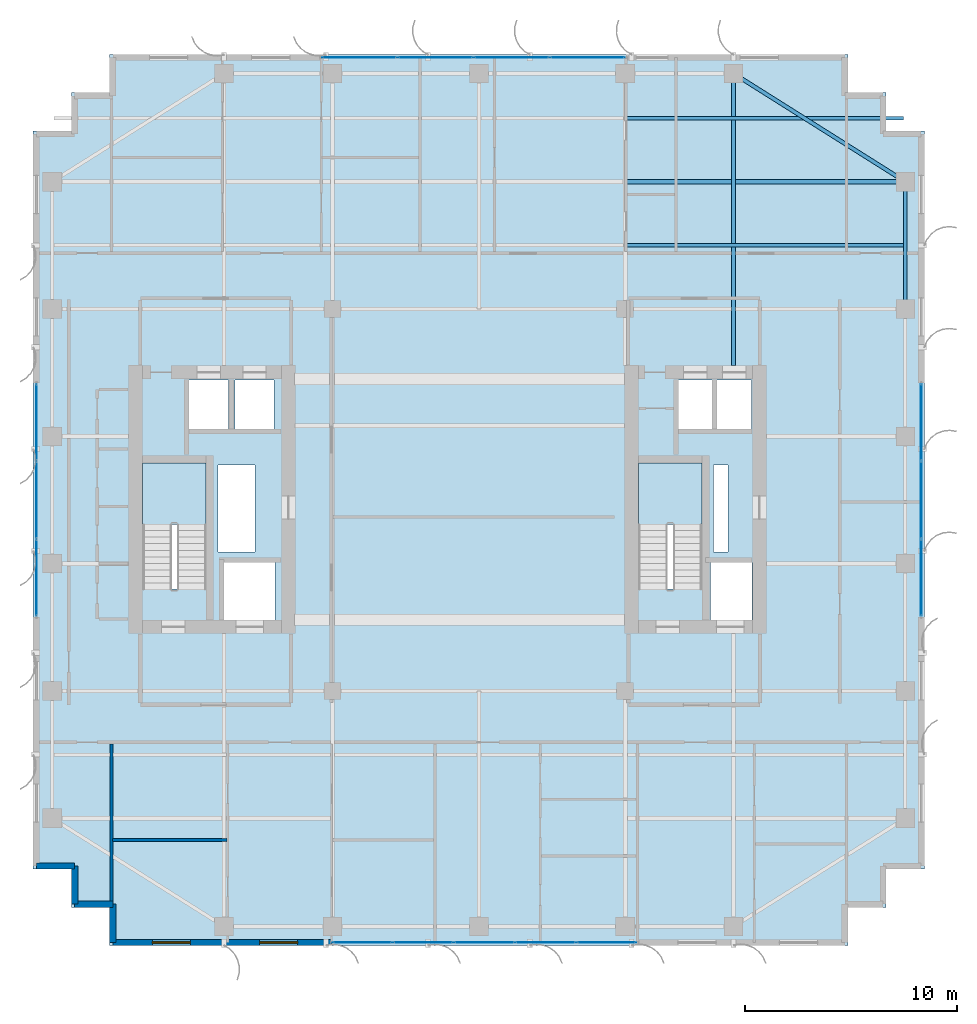
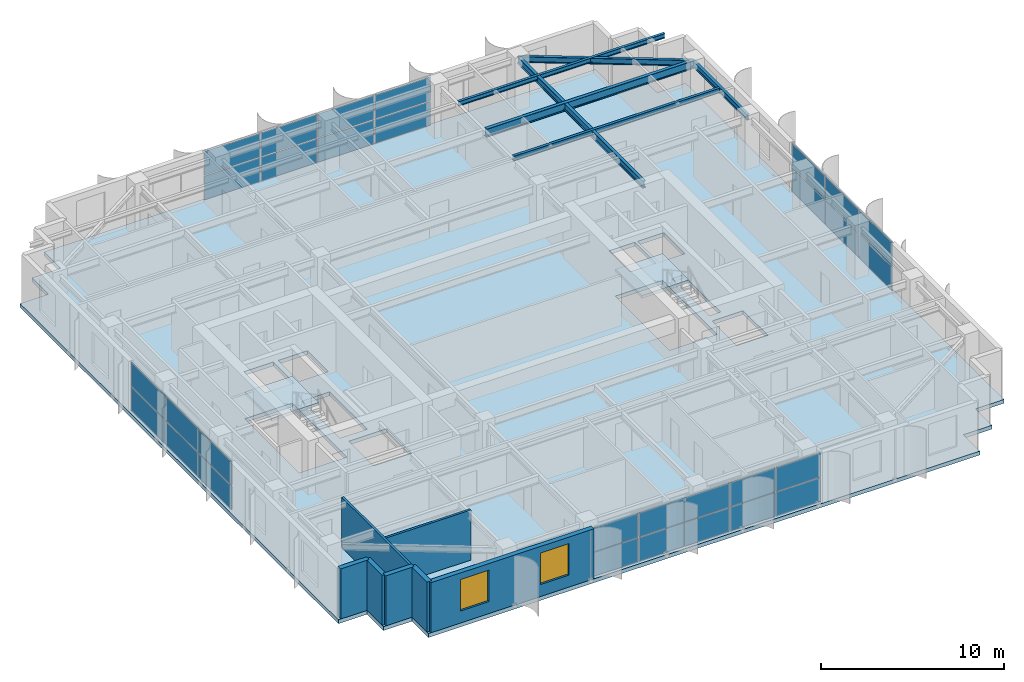
# One storey, part 18 of 25: 30 plates, 7 walls, 6 beams, 3 slabs, 2 windows, 2 openings, 6 elements without a shape of their own.
"""IFC4 building model written with IfcOpenShell, lengths in metres."""

from ifc_helpers import new_model, si_unit, direction, frame, frame_2d, origin, origin_2d, place, context, subcontext, project, spatial, polyline, rectangle, i_section, outline, extrude, source, transform, mapped, material, layer, layer_set, material_profile, profile_set, type_object, element, fill, aggregate, save


model = new_model("IFC4")

# Units and contexts
model_context = context("Model", 3, precision=1e-05, world=origin(), true_north=direction((0.0, 1.0)))
body_context = subcontext(model_context, "Body", "Model", "MODEL_VIEW")
ifc_project = project(units=[si_unit("LENGTHUNIT", "METRE"), si_unit("AREAUNIT", "SQUARE_METRE"), si_unit("VOLUMEUNIT", "CUBIC_METRE"), si_unit("PLANEANGLEUNIT", "RADIAN"), si_unit("MASSUNIT", "GRAM", prefix="KILO")], contexts=[model_context])

# Site, building, storey
site_placement = place(None, origin())
site = spatial("IfcSite", under=ifc_project, at=site_placement, CompositionType="ELEMENT")
building_placement = place(site_placement, origin())
building = spatial("IfcBuilding", under=site, at=building_placement, Name="Khoralis Quay Care Tower", CompositionType="ELEMENT")
storey_placement = place(building_placement, frame((0.0, 0.0, 166.5)))
storey = spatial("IfcBuildingStorey", under=building, at=storey_placement, Name="L43", CompositionType="ELEMENT", Elevation=166.5)

# Beams
ifc_material_1 = material(Name="Steel S355", Category="steel")
ifc_material_profile_1 = material_profile(ifc_material_1, i_section(OverallWidth=0.179931640625, OverallDepth=0.39990234375, WebThickness=0.008544921875, FlangeThickness=0.013427734375, FilletRadius=0.02099609375, at=origin_2d()), Name="Steel S355")
ifc_profile_set_1 = profile_set([ifc_material_profile_1], Name="Steel S355")
beam_type_1 = type_object("IfcBeamType", Name="BM-IPE400", PredefinedType="SPANDREL", material=ifc_profile_set_1)
shared_shape_1 = source(origin(), body_context, "Body", "SweptSolid", [
    extrude(i_section(OverallWidth=0.179931640625, OverallDepth=0.39990234375, WebThickness=0.008544921875, FlangeThickness=0.013427734375, FilletRadius=0.02099609375, at=origin_2d()), origin(), (0.0, 0.0, 1.0), 6.0),
])
beam_1_placement = place(storey_placement, frame((44.10009765625, 30.0, 3.139892578125), z_axis=(0.0, 1.0, 0.0), x_axis=(-1.0, 0.0, 0.0)))
element("IfcBeam", 1, at=beam_1_placement, inside=storey, type_object=beam_type_1, Name="BM-TSP-L43-18", PredefinedType="SPANDREL", context=body_context, shape_type="MappedRepresentation", body=[
    mapped(shared_shape_1, transform((0.0, 0.0, 0.0), scale=1.0)),
])
shared_shape_2 = source(origin(), body_context, "Body", "SweptSolid", [
    extrude(i_section(OverallWidth=0.179931640625, OverallDepth=0.39990234375, WebThickness=0.008544921875, FlangeThickness=0.013427734375, FilletRadius=0.02099609375, at=origin_2d()), origin(), (0.0, 0.0, 1.0), 9.572021484375),
])
beam_2_placement = place(storey_placement, frame((36.0, 41.10009765625, 3.139892578125), z_axis=(0.846231136359, -0.532815975602, 0.0), x_axis=(0.532815975602, 0.846231136359, 0.0)))
element("IfcBeam", 2, at=beam_2_placement, inside=storey, type_object=beam_type_1, Name="BM-TCR-L43-22", PredefinedType="SPANDREL", context=body_context, shape_type="MappedRepresentation", body=[
    mapped(shared_shape_2, transform((0.0, 0.0, 0.0), scale=1.0)),
])
ifc_material_profile_2 = material_profile(ifc_material_1, i_section(OverallWidth=0.208984375, OverallDepth=0.532958984375, WebThickness=0.01025390625, FlangeThickness=0.015625, FilletRadius=0.01611328125, at=origin_2d()), Name="Steel S355")
ifc_profile_set_2 = profile_set([ifc_material_profile_2], Name="Steel S355")
beam_type_2 = type_object("IfcBeamType", Name="BM-W530X92", PredefinedType="BEAM", material=ifc_profile_set_2)
shared_shape_3 = source(origin(), body_context, "Body", "SweptSolid", [
    extrude(i_section(OverallWidth=0.208984375, OverallDepth=0.532958984375, WebThickness=0.01025390625, FlangeThickness=0.015625, FilletRadius=0.01611328125, at=origin_2d()), origin(), (0.0, 0.0, 1.0), 13.1162109375),
])
beam_3_placement = place(storey_placement, frame((30.98388671875, 36.0, 3.073486328125), z_axis=(1.0, 0.0, 0.0), x_axis=(0.0, 1.0, 0.0)))
element("IfcBeam", 3, at=beam_3_placement, inside=storey, type_object=beam_type_2, Name="BM-TGXE-L43-360", PredefinedType="BEAM", context=body_context, shape_type="MappedRepresentation", body=[
    mapped(shared_shape_3, transform((0.0, 0.0, 0.0), scale=1.0)),
])
ifc_material_profile_3 = material_profile(ifc_material_1, i_section(OverallWidth=0.19189453125, OverallDepth=0.462890625, WebThickness=0.010498046875, FlangeThickness=0.017578125, FilletRadius=0.014892578125, at=origin_2d()), Name="Steel S355")
ifc_profile_set_3 = profile_set([ifc_material_profile_3], Name="Steel S355")
beam_type_3 = type_object("IfcBeamType", Name="BM-W460X89", PredefinedType="BEAM", material=ifc_profile_set_3)
shared_shape_4 = source(origin(), body_context, "Body", "SweptSolid", [
    extrude(i_section(OverallWidth=0.19189453125, OverallDepth=0.462890625, WebThickness=0.010498046875, FlangeThickness=0.017578125, FilletRadius=0.014892578125, at=origin_2d()), origin(), (0.0, 0.0, 1.0), 13.752197265625),
])
beam_4_placement = place(storey_placement, frame((36.0, 27.347900390625, 3.1083984375), z_axis=(0.0, 1.0, 0.0), x_axis=(-1.0, 0.0, 0.0)))
element("IfcBeam", 4, at=beam_4_placement, inside=storey, type_object=beam_type_3, Name="BM-TGYN-L43-360", PredefinedType="BEAM", context=body_context, shape_type="MappedRepresentation", body=[
    mapped(shared_shape_4, transform((0.0, 0.0, 0.0), scale=1.0)),
])
ifc_material_profile_4 = material_profile(ifc_material_1, i_section(OverallWidth=0.1650390625, OverallDepth=0.31005859375, WebThickness=0.005859375, FlangeThickness=0.009765625, FilletRadius=0.011962890625, at=origin_2d()), Name="Steel S355")
ifc_profile_set_4 = profile_set([ifc_material_profile_4], Name="Steel S355")
beam_type_4 = type_object("IfcBeamType", Name="BM-W310X39", PredefinedType="JOIST", material=ifc_profile_set_4)
shared_shape_5 = source(origin(), body_context, "Body", "SweptSolid", [
    extrude(i_section(OverallWidth=0.1650390625, OverallDepth=0.31005859375, WebThickness=0.005859375, FlangeThickness=0.009765625, FilletRadius=0.011962890625, at=origin_2d()), origin(), (0.0, 0.0, 1.0), 13.0400390625),
])
for number, where, z_axis, x_axis, name in (
    (5, (30.98388671875, 33.0, 3.18505859375), (1.0, 0.0, 0.0), (0.0, 1.0, 0.0), "BM-TJS-L43-27"),
    (6, (30.98388671875, 39.0, 3.18505859375), (1.0, 0.0, 0.0), (0.0, 1.0, 0.0), "BM-TJS-L43-30"),
):
    element("IfcBeam", number, at=place(storey_placement, frame(where, z_axis=z_axis, x_axis=x_axis)), inside=storey, type_object=beam_type_4, Name=name, PredefinedType="JOIST", context=body_context, shape_type="MappedRepresentation", body=[
        mapped(shared_shape_5, transform((0.0, 0.0, 0.0), scale=1.0)),
    ])

# Stair, slab
ifc_material_2 = material(Name="Precast concrete C45/55", Category="concrete")
stair_type = type_object("IfcStairType", Name="ST-TWR-DOGLEG-1400", PredefinedType="HALF_TURN_STAIR", material=ifc_material_2)
stair_1_placement = place(storey_placement, origin())
stair_1 = element("IfcStair", 7, at=stair_1_placement, inside=storey, type_object=stair_type, Name="L43 West Core Exit Stair ST-T1", PredefinedType="HALF_TURN_STAIR")
ifc_layer_1 = layer(ifc_material_2, 0.199951171875)
ifc_layer_set_1 = layer_set([ifc_layer_1], Name="Precast concrete C45/55")
slab_type_1 = type_object("IfcSlabType", Name="SLB-LANDING-200", PredefinedType="LANDING", material=ifc_layer_set_1)
slab_1_placement = place(storey_placement, frame((0.0, 0.0, 1.60009765625)))
slab_1 = element("IfcSlab", 8, at=slab_1_placement, type_object=slab_type_1, Name="ST-T1 landing 1", PredefinedType="LANDING", context=body_context, shape_type="SweptSolid", body=[
    extrude(outline(polyline([(11.14990234375, 19.840087890625), (11.14990234375, 22.75), (8.14990234375, 22.75), (8.14990234375, 19.840087890625), (11.14990234375, 19.840087890625)])), origin(), (0.0, 0.0, 1.0), 0.199951171875),
])
aggregate(stair_1, [slab_1])

stair_2_placement = place(storey_placement, origin())
stair_2 = element("IfcStair", 9, at=stair_2_placement, inside=storey, type_object=stair_type, Name="L43 East Core Exit Stair ST-T2", PredefinedType="HALF_TURN_STAIR")
slab_2_placement = place(storey_placement, frame((0.0, 0.0, 1.60009765625)))
slab_2 = element("IfcSlab", 10, at=slab_2_placement, type_object=slab_type_1, Name="ST-T2 landing 1", PredefinedType="LANDING", context=body_context, shape_type="SweptSolid", body=[
    extrude(outline(polyline([(34.52001953125, 19.840087890625), (34.52001953125, 22.75), (31.52001953125, 22.75), (31.52001953125, 19.840087890625), (34.52001953125, 19.840087890625)])), origin(), (0.0, 0.0, 1.0), 0.199951171875),
])
aggregate(stair_2, [slab_2])

# Slab
ifc_material_3 = material(Name="Concrete C40/50", Category="concrete")
ifc_layer_2 = layer(ifc_material_3, 0.260009765625)
ifc_layer_set_2 = layer_set([ifc_layer_2], Name="Concrete C40/50")
slab_type_2 = type_object("IfcSlabType", Name="SLB-TWR-260", PredefinedType="FLOOR", material=ifc_layer_set_2)
slab_3_placement = place(storey_placement, frame((0.0, 0.0, -0.260009765625)))
element("IfcSlab", 11, at=slab_3_placement, inside=storey, type_object=slab_type_2, Name="Tower Floor Slab L43", PredefinedType="FLOOR", context=body_context, shape_type="SweptSolid", body=[
    extrude(outline(polyline([(6.60009765625, 0.0), (41.39990234375, 0.0), (41.39990234375, 1.800048828125), (43.199951171875, 1.800048828125), (43.199951171875, 3.60009765625), (45.0, 3.60009765625), (45.0, 38.39990234375), (43.199951171875, 38.39990234375), (43.199951171875, 40.199951171875), (41.39990234375, 40.199951171875), (41.39990234375, 42.0), (6.60009765625, 42.0), (6.60009765625, 40.199951171875), (4.800048828125, 40.199951171875), (4.800048828125, 38.39990234375), (3.0, 38.39990234375), (3.0, 3.60009765625), (4.800048828125, 3.60009765625), (4.800048828125, 1.800048828125), (6.60009765625, 1.800048828125), (6.60009765625, 0.0)]), holes=[polyline([(11.14990234375, 16.800048828125), (11.14990234375, 22.75), (8.14990234375, 22.75), (8.14990234375, 16.800048828125), (11.14990234375, 16.800048828125)]), polyline([(34.52001953125, 16.800048828125), (34.52001953125, 22.75), (31.52001953125, 22.75), (31.52001953125, 16.800048828125), (34.52001953125, 16.800048828125)]), polyline([(12.0, 15.35009765625), (14.39990234375, 15.35009765625), (14.39990234375, 18.050048828125), (12.0, 18.050048828125), (12.0, 15.35009765625)]), polyline([(34.919921875, 15.35009765625), (36.8798828125, 15.35009765625), (36.8798828125, 18.050048828125), (34.919921875, 18.050048828125), (34.919921875, 15.35009765625)]), polyline([(10.35009765625, 24.35009765625), (12.199951171875, 24.35009765625), (12.199951171875, 26.64990234375), (10.35009765625, 26.64990234375), (10.35009765625, 24.35009765625)]), polyline([(33.3798828125, 24.35009765625), (35.030029296875, 24.35009765625), (35.030029296875, 26.64990234375), (33.3798828125, 26.64990234375), (33.3798828125, 24.35009765625)]), polyline([(12.5, 24.35009765625), (14.35009765625, 24.35009765625), (14.35009765625, 26.64990234375), (12.5, 26.64990234375), (12.5, 24.35009765625)]), polyline([(35.199951171875, 24.35009765625), (36.85009765625, 24.35009765625), (36.85009765625, 26.64990234375), (35.199951171875, 26.64990234375), (35.199951171875, 24.35009765625)]), polyline([(11.719970703125, 18.550048828125), (13.449951171875, 18.550048828125), (13.449951171875, 22.64990234375), (11.719970703125, 22.64990234375), (11.719970703125, 18.550048828125)]), polyline([(35.050048828125, 18.550048828125), (35.75, 18.550048828125), (35.75, 22.64990234375), (35.050048828125, 22.64990234375), (35.050048828125, 18.550048828125)])]), origin(), (0.0, 0.0, 1.0), 0.260009765625),
])

# Curtain wall, plates
ifc_material_4 = material(Name="Pale anodised aluminium", Category="aluminium")
ifc_layer_3 = layer(ifc_material_4, 0.159912109375)
ifc_layer_set_3 = layer_set([ifc_layer_3], Name="Pale anodised aluminium")
curtain_wall_type = type_object("IfcCurtainWallType", Name="CW-SYS-Z3", PredefinedType="NOTDEFINED", material=ifc_layer_set_3)
curtain_wall_1_placement = place(storey_placement, origin())
curtain_wall_1 = element("IfcCurtainWall", 12, at=curtain_wall_1_placement, inside=storey, type_object=curtain_wall_type, Name="L43 Unitised Curtain Wall CW-L43-P1-E5", PredefinedType="NOTDEFINED")
ifc_material_5 = material(Name="Low-E solar-control double glazing", Category="glass")
ifc_layer_4 = layer(ifc_material_5, 0.031982421875)
ifc_layer_set_4 = layer_set([ifc_layer_4], Name="Low-E solar-control double glazing")
plate_type = type_object("IfcPlateType", Name="PNL-VIS-32", PredefinedType="CURTAIN_PANEL", material=ifc_layer_set_4)
shared_shape_6 = source(origin(), body_context, "Body", "SweptSolid", [
    extrude(rectangle(XDim=3.590087890625, YDim=0.028076171875, at=origin_2d()), origin(), (0.0, 0.0, 1.0), 1.580078125),
])
plate_1_placement = place(storey_placement, frame((44.85009765625, 17.3349609375, 0.06005859375), z_axis=(0.0, 0.0, 1.0), x_axis=(0.0, 1.0, 0.0)))
plate_1 = element("IfcPlate", 13, at=plate_1_placement, type_object=plate_type, Name="CW3 panel 1.1", PredefinedType="CURTAIN_PANEL", context=body_context, shape_type="MappedRepresentation", body=[
    mapped(shared_shape_6, transform((0.0, 0.0, 0.0), scale=1.0)),
])
plate_2_placement = place(storey_placement, frame((44.85009765625, 17.3349609375, 1.699951171875), z_axis=(0.0, 0.0, 1.0), x_axis=(0.0, 1.0, 0.0)))
plate_2 = element("IfcPlate", 14, at=plate_2_placement, type_object=plate_type, Name="CW3 panel 1.2", PredefinedType="CURTAIN_PANEL", context=body_context, shape_type="MappedRepresentation", body=[
    mapped(shared_shape_6, transform((0.0, 0.0, 0.0), scale=1.0)),
])
plate_3_placement = place(storey_placement, frame((44.85009765625, 24.6650390625, 0.06005859375), z_axis=(0.0, 0.0, 1.0), x_axis=(0.0, 1.0, 0.0)))
plate_3 = element("IfcPlate", 15, at=plate_3_placement, type_object=plate_type, Name="CW3 panel 3.1", PredefinedType="CURTAIN_PANEL", context=body_context, shape_type="MappedRepresentation", body=[
    mapped(shared_shape_6, transform((0.0, 0.0, 0.0), scale=1.0)),
])
plate_4_placement = place(storey_placement, frame((44.85009765625, 24.6650390625, 1.699951171875), z_axis=(0.0, 0.0, 1.0), x_axis=(0.0, 1.0, 0.0)))
plate_4 = element("IfcPlate", 16, at=plate_4_placement, type_object=plate_type, Name="CW3 panel 3.2", PredefinedType="CURTAIN_PANEL", context=body_context, shape_type="MappedRepresentation", body=[
    mapped(shared_shape_6, transform((0.0, 0.0, 0.0), scale=1.0)),
])

curtain_wall_2_placement = place(storey_placement, origin())
curtain_wall_2 = element("IfcCurtainWall", 17, at=curtain_wall_2_placement, inside=storey, type_object=curtain_wall_type, Name="L43 Unitised Curtain Wall CW-L43-P1-E15", PredefinedType="NOTDEFINED")
plate_5_placement = place(storey_placement, frame((3.14990234375, 24.6650390625, 0.06005859375), z_axis=(0.0, 0.0, 1.0), x_axis=(0.0, -1.0, 0.0)))
plate_5 = element("IfcPlate", 18, at=plate_5_placement, type_object=plate_type, Name="CW3 panel 1.1", PredefinedType="CURTAIN_PANEL", context=body_context, shape_type="MappedRepresentation", body=[
    mapped(shared_shape_6, transform((0.0, 0.0, 0.0), scale=1.0)),
])
plate_6_placement = place(storey_placement, frame((3.14990234375, 24.6650390625, 1.699951171875), z_axis=(0.0, 0.0, 1.0), x_axis=(0.0, -1.0, 0.0)))
plate_6 = element("IfcPlate", 19, at=plate_6_placement, type_object=plate_type, Name="CW3 panel 1.2", PredefinedType="CURTAIN_PANEL", context=body_context, shape_type="MappedRepresentation", body=[
    mapped(shared_shape_6, transform((0.0, 0.0, 0.0), scale=1.0)),
])
plate_7_placement = place(storey_placement, frame((3.14990234375, 17.3349609375, 0.06005859375), z_axis=(0.0, 0.0, 1.0), x_axis=(0.0, -1.0, 0.0)))
plate_7 = element("IfcPlate", 20, at=plate_7_placement, type_object=plate_type, Name="CW3 panel 3.1", PredefinedType="CURTAIN_PANEL", context=body_context, shape_type="MappedRepresentation", body=[
    mapped(shared_shape_6, transform((0.0, 0.0, 0.0), scale=1.0)),
])
plate_8_placement = place(storey_placement, frame((3.14990234375, 17.3349609375, 1.699951171875), z_axis=(0.0, 0.0, 1.0), x_axis=(0.0, -1.0, 0.0)))
plate_8 = element("IfcPlate", 21, at=plate_8_placement, type_object=plate_type, Name="CW3 panel 3.2", PredefinedType="CURTAIN_PANEL", context=body_context, shape_type="MappedRepresentation", body=[
    mapped(shared_shape_6, transform((0.0, 0.0, 0.0), scale=1.0)),
])

# Plate
shared_shape_7 = source(origin(), body_context, "Body", "SweptSolid", [
    extrude(rectangle(XDim=3.6201171875, YDim=0.028076171875, at=origin_2d()), origin(), (0.0, 0.0, 1.0), 1.580078125),
])
plate_9_placement = place(storey_placement, frame((44.85009765625, 21.0, 0.06005859375), z_axis=(0.0, 0.0, 1.0), x_axis=(0.0, 1.0, 0.0)))
plate_9 = element("IfcPlate", 22, at=plate_9_placement, type_object=plate_type, Name="CW3 panel 2.1", PredefinedType="CURTAIN_PANEL", context=body_context, shape_type="MappedRepresentation", body=[
    mapped(shared_shape_7, transform((0.0, 0.0, 0.0), scale=1.0)),
])

plate_10_placement = place(storey_placement, frame((44.85009765625, 21.0, 1.699951171875), z_axis=(0.0, 0.0, 1.0), x_axis=(0.0, 1.0, 0.0)))
plate_10 = element("IfcPlate", 23, at=plate_10_placement, type_object=plate_type, Name="CW3 panel 2.2", PredefinedType="CURTAIN_PANEL", context=body_context, shape_type="MappedRepresentation", body=[
    mapped(shared_shape_7, transform((0.0, 0.0, 0.0), scale=1.0)),
])

aggregate(curtain_wall_1, [plate_1, plate_2, plate_9, plate_10, plate_3, plate_4])

plate_11_placement = place(storey_placement, frame((3.14990234375, 21.0, 0.06005859375), z_axis=(0.0, 0.0, 1.0), x_axis=(0.0, -1.0, 0.0)))
plate_11 = element("IfcPlate", 24, at=plate_11_placement, type_object=plate_type, Name="CW3 panel 2.1", PredefinedType="CURTAIN_PANEL", context=body_context, shape_type="MappedRepresentation", body=[
    mapped(shared_shape_7, transform((0.0, 0.0, 0.0), scale=1.0)),
])

plate_12_placement = place(storey_placement, frame((3.14990234375, 21.0, 1.699951171875), z_axis=(0.0, 0.0, 1.0), x_axis=(0.0, -1.0, 0.0)))
plate_12 = element("IfcPlate", 25, at=plate_12_placement, type_object=plate_type, Name="CW3 panel 2.2", PredefinedType="CURTAIN_PANEL", context=body_context, shape_type="MappedRepresentation", body=[
    mapped(shared_shape_7, transform((0.0, 0.0, 0.0), scale=1.0)),
])

aggregate(curtain_wall_2, [plate_5, plate_6, plate_11, plate_12, plate_7, plate_8])

# Curtain wall, plates
curtain_wall_3_placement = place(storey_placement, origin())
curtain_wall_3 = element("IfcCurtainWall", 26, at=curtain_wall_3_placement, inside=storey, type_object=curtain_wall_type, Name="L43 Unitised Curtain Wall CW-L43-P1-E0", PredefinedType="NOTDEFINED")
shared_shape_8 = source(origin(), body_context, "Body", "SweptSolid", [
    extrude(rectangle(XDim=2.79248046875, YDim=0.028076171875, at=origin_2d()), origin(), (0.0, 0.0, 1.0), 1.580078125),
])
plate_13_placement = place(storey_placement, frame((18.51318359375, 0.14990234375, 0.06005859375), z_axis=(0.0, 0.0, 1.0), x_axis=(1.0, 0.0, 0.0)))
plate_13 = element("IfcPlate", 27, at=plate_13_placement, type_object=plate_type, Name="CW3 panel 1.1", PredefinedType="CURTAIN_PANEL", context=body_context, shape_type="MappedRepresentation", body=[
    mapped(shared_shape_8, transform((0.0, 0.0, 0.0), scale=1.0)),
])
plate_14_placement = place(storey_placement, frame((18.51318359375, 0.14990234375, 1.699951171875), z_axis=(0.0, 0.0, 1.0), x_axis=(1.0, 0.0, 0.0)))
plate_14 = element("IfcPlate", 28, at=plate_14_placement, type_object=plate_type, Name="CW3 panel 1.2", PredefinedType="CURTAIN_PANEL", context=body_context, shape_type="MappedRepresentation", body=[
    mapped(shared_shape_8, transform((0.0, 0.0, 0.0), scale=1.0)),
])
plate_15_placement = place(storey_placement, frame((30.013671875, 0.14990234375, 0.06005859375), z_axis=(0.0, 0.0, 1.0), x_axis=(1.0, 0.0, 0.0)))
plate_15 = element("IfcPlate", 29, at=plate_15_placement, type_object=plate_type, Name="CW3 panel 5.1", PredefinedType="CURTAIN_PANEL", context=body_context, shape_type="MappedRepresentation", body=[
    mapped(shared_shape_8, transform((0.0, 0.0, 0.0), scale=1.0)),
])
plate_16_placement = place(storey_placement, frame((30.013671875, 0.14990234375, 1.699951171875), z_axis=(0.0, 0.0, 1.0), x_axis=(1.0, 0.0, 0.0)))
plate_16 = element("IfcPlate", 30, at=plate_16_placement, type_object=plate_type, Name="CW3 panel 5.2", PredefinedType="CURTAIN_PANEL", context=body_context, shape_type="MappedRepresentation", body=[
    mapped(shared_shape_8, transform((0.0, 0.0, 0.0), scale=1.0)),
])
shared_shape_9 = source(origin(), body_context, "Body", "SweptSolid", [
    extrude(rectangle(XDim=2.822509765625, YDim=0.028076171875, at=origin_2d()), origin(), (0.0, 0.0, 1.0), 1.580078125),
])
plate_17_placement = place(storey_placement, frame((21.380859375, 0.14990234375, 0.06005859375), z_axis=(0.0, 0.0, 1.0), x_axis=(1.0, 0.0, 0.0)))
plate_17 = element("IfcPlate", 31, at=plate_17_placement, type_object=plate_type, Name="CW3 panel 2.1", PredefinedType="CURTAIN_PANEL", context=body_context, shape_type="MappedRepresentation", body=[
    mapped(shared_shape_9, transform((0.0, 0.0, 0.0), scale=1.0)),
])
plate_18_placement = place(storey_placement, frame((21.380859375, 0.14990234375, 1.699951171875), z_axis=(0.0, 0.0, 1.0), x_axis=(1.0, 0.0, 0.0)))
plate_18 = element("IfcPlate", 32, at=plate_18_placement, type_object=plate_type, Name="CW3 panel 2.2", PredefinedType="CURTAIN_PANEL", context=body_context, shape_type="MappedRepresentation", body=[
    mapped(shared_shape_9, transform((0.0, 0.0, 0.0), scale=1.0)),
])
plate_19_placement = place(storey_placement, frame((24.263427734375, 0.14990234375, 0.06005859375), z_axis=(0.0, 0.0, 1.0), x_axis=(1.0, 0.0, 0.0)))
plate_19 = element("IfcPlate", 33, at=plate_19_placement, type_object=plate_type, Name="CW3 panel 3.1", PredefinedType="CURTAIN_PANEL", context=body_context, shape_type="MappedRepresentation", body=[
    mapped(shared_shape_9, transform((0.0, 0.0, 0.0), scale=1.0)),
])
plate_20_placement = place(storey_placement, frame((24.263427734375, 0.14990234375, 1.699951171875), z_axis=(0.0, 0.0, 1.0), x_axis=(1.0, 0.0, 0.0)))
plate_20 = element("IfcPlate", 34, at=plate_20_placement, type_object=plate_type, Name="CW3 panel 3.2", PredefinedType="CURTAIN_PANEL", context=body_context, shape_type="MappedRepresentation", body=[
    mapped(shared_shape_9, transform((0.0, 0.0, 0.0), scale=1.0)),
])
plate_21_placement = place(storey_placement, frame((27.14599609375, 0.14990234375, 0.06005859375), z_axis=(0.0, 0.0, 1.0), x_axis=(1.0, 0.0, 0.0)))
plate_21 = element("IfcPlate", 35, at=plate_21_placement, type_object=plate_type, Name="CW3 panel 4.1", PredefinedType="CURTAIN_PANEL", context=body_context, shape_type="MappedRepresentation", body=[
    mapped(shared_shape_9, transform((0.0, 0.0, 0.0), scale=1.0)),
])
plate_22_placement = place(storey_placement, frame((27.14599609375, 0.14990234375, 1.699951171875), z_axis=(0.0, 0.0, 1.0), x_axis=(1.0, 0.0, 0.0)))
plate_22 = element("IfcPlate", 36, at=plate_22_placement, type_object=plate_type, Name="CW3 panel 4.2", PredefinedType="CURTAIN_PANEL", context=body_context, shape_type="MappedRepresentation", body=[
    mapped(shared_shape_9, transform((0.0, 0.0, 0.0), scale=1.0)),
])
aggregate(curtain_wall_3, [plate_13, plate_14, plate_17, plate_18, plate_19, plate_20, plate_21, plate_22, plate_15, plate_16])

curtain_wall_4_placement = place(storey_placement, origin())
curtain_wall_4 = element("IfcCurtainWall", 37, at=curtain_wall_4_placement, inside=storey, type_object=curtain_wall_type, Name="L43 Unitised Curtain Wall CW-L43-P1-E10", PredefinedType="NOTDEFINED")
shared_shape_10 = source(origin(), body_context, "Body", "SweptSolid", [
    extrude(rectangle(XDim=3.503173828125, YDim=0.028076171875, at=origin_2d()), origin(), (0.0, 0.0, 1.0), 1.580078125),
])
plate_23_placement = place(storey_placement, frame((29.12841796875, 41.85009765625, 0.06005859375), z_axis=(0.0, 0.0, 1.0), x_axis=(-1.0, 0.0, 0.0)))
plate_23 = element("IfcPlate", 38, at=plate_23_placement, type_object=plate_type, Name="CW3 panel 1.1", PredefinedType="CURTAIN_PANEL", context=body_context, shape_type="MappedRepresentation", body=[
    mapped(shared_shape_10, transform((0.0, 0.0, 0.0), scale=1.0)),
])
plate_24_placement = place(storey_placement, frame((29.12841796875, 41.85009765625, 1.699951171875), z_axis=(0.0, 0.0, 1.0), x_axis=(-1.0, 0.0, 0.0)))
plate_24 = element("IfcPlate", 39, at=plate_24_placement, type_object=plate_type, Name="CW3 panel 1.2", PredefinedType="CURTAIN_PANEL", context=body_context, shape_type="MappedRepresentation", body=[
    mapped(shared_shape_10, transform((0.0, 0.0, 0.0), scale=1.0)),
])
plate_25_placement = place(storey_placement, frame((18.378662109375, 41.85009765625, 0.06005859375), z_axis=(0.0, 0.0, 1.0), x_axis=(-1.0, 0.0, 0.0)))
plate_25 = element("IfcPlate", 40, at=plate_25_placement, type_object=plate_type, Name="CW3 panel 4.1", PredefinedType="CURTAIN_PANEL", context=body_context, shape_type="MappedRepresentation", body=[
    mapped(shared_shape_10, transform((0.0, 0.0, 0.0), scale=1.0)),
])
plate_26_placement = place(storey_placement, frame((18.378662109375, 41.85009765625, 1.699951171875), z_axis=(0.0, 0.0, 1.0), x_axis=(-1.0, 0.0, 0.0)))
plate_26 = element("IfcPlate", 41, at=plate_26_placement, type_object=plate_type, Name="CW3 panel 4.2", PredefinedType="CURTAIN_PANEL", context=body_context, shape_type="MappedRepresentation", body=[
    mapped(shared_shape_10, transform((0.0, 0.0, 0.0), scale=1.0)),
])
shared_shape_11 = source(origin(), body_context, "Body", "SweptSolid", [
    extrude(rectangle(XDim=3.533203125, YDim=0.028076171875, at=origin_2d()), origin(), (0.0, 0.0, 1.0), 1.580078125),
])
plate_27_placement = place(storey_placement, frame((25.550048828125, 41.85009765625, 0.06005859375), z_axis=(0.0, 0.0, 1.0), x_axis=(-1.0, 0.0, 0.0)))
plate_27 = element("IfcPlate", 42, at=plate_27_placement, type_object=plate_type, Name="CW3 panel 2.1", PredefinedType="CURTAIN_PANEL", context=body_context, shape_type="MappedRepresentation", body=[
    mapped(shared_shape_11, transform((0.0, 0.0, 0.0), scale=1.0)),
])
plate_28_placement = place(storey_placement, frame((25.550048828125, 41.85009765625, 1.699951171875), z_axis=(0.0, 0.0, 1.0), x_axis=(-1.0, 0.0, 0.0)))
plate_28 = element("IfcPlate", 43, at=plate_28_placement, type_object=plate_type, Name="CW3 panel 2.2", PredefinedType="CURTAIN_PANEL", context=body_context, shape_type="MappedRepresentation", body=[
    mapped(shared_shape_11, transform((0.0, 0.0, 0.0), scale=1.0)),
])
plate_29_placement = place(storey_placement, frame((21.956787109375, 41.85009765625, 0.06005859375), z_axis=(0.0, 0.0, 1.0), x_axis=(-1.0, 0.0, 0.0)))
plate_29 = element("IfcPlate", 44, at=plate_29_placement, type_object=plate_type, Name="CW3 panel 3.1", PredefinedType="CURTAIN_PANEL", context=body_context, shape_type="MappedRepresentation", body=[
    mapped(shared_shape_11, transform((0.0, 0.0, 0.0), scale=1.0)),
])
plate_30_placement = place(storey_placement, frame((21.956787109375, 41.85009765625, 1.699951171875), z_axis=(0.0, 0.0, 1.0), x_axis=(-1.0, 0.0, 0.0)))
plate_30 = element("IfcPlate", 45, at=plate_30_placement, type_object=plate_type, Name="CW3 panel 3.2", PredefinedType="CURTAIN_PANEL", context=body_context, shape_type="MappedRepresentation", body=[
    mapped(shared_shape_11, transform((0.0, 0.0, 0.0), scale=1.0)),
])
aggregate(curtain_wall_4, [plate_23, plate_24, plate_27, plate_28, plate_29, plate_30, plate_25, plate_26])

# Wall, openings, windows
ifc_layer_5 = layer(ifc_material_2, 0.300048828125)
ifc_layer_set_5 = layer_set([ifc_layer_5], Name="Precast concrete C45/55")
wall_type_1 = type_object("IfcWallType", Name="WL-EXT-REF-300", PredefinedType="SOLIDWALL", material=ifc_layer_set_5)
wall_1_placement = place(storey_placement, frame((6.75, 0.14990234375, 0.0), z_axis=(0.0, 0.0, 1.0), x_axis=(1.0, 0.0, 0.0)))
wall_1 = element("IfcWall", 46, at=wall_1_placement, inside=storey, type_object=wall_type_1, Name="L43 External Facade Wall WL-EXT-L43-P1-E0A", PredefinedType="SOLIDWALL", context=body_context, shape_type="SweptSolid", body=[
    extrude(rectangle(XDim=10.306884765625, YDim=0.300048828125, at=frame_2d((5.1533203125, 0.0))), origin(), (0.0, 0.0, 1.0), 3.340087890625),
])
opening_1_placement = place(wall_1_placement, frame((1.862060546875, 0.0, 0.800048828125)))
opening_1 = element("IfcOpeningElement", 47, at=opening_1_placement, cuts=wall_1, Name="Opening W2", PredefinedType="OPENING", context=body_context, shape_type="SweptSolid", body=[
    extrude(rectangle(XDim=1.800048828125, YDim=2.10009765625, at=frame_2d((0.89990234375, 1.050048828125))), frame((0.0, 0.16015625, 0.0), z_axis=(0.0, -1.0, 0.0), x_axis=(1.0, 0.0, 0.0)), (0.0, 0.0, 1.0), 0.320068359375),
])
opening_2_placement = place(wall_1_placement, frame((6.91552734375, 0.0, 0.800048828125)))
opening_2 = element("IfcOpeningElement", 48, at=opening_2_placement, cuts=wall_1, Name="Opening W2", PredefinedType="OPENING", context=body_context, shape_type="SweptSolid", body=[
    extrude(rectangle(XDim=1.800048828125, YDim=2.10009765625, at=frame_2d((0.89990234375, 1.050048828125))), frame((0.0, 0.16015625, 0.0), z_axis=(0.0, -1.0, 0.0), x_axis=(1.0, 0.0, 0.0)), (0.0, 0.0, 1.0), 0.320068359375),
])
window_type = type_object("IfcWindowType", Name="WN-POD-1800X2100", PartitioningType="SINGLE_PANEL", PredefinedType="WINDOW", material=ifc_material_5)
shared_shape_12 = source(origin(), body_context, "Body", "SweptSolid", [
    extrude(rectangle(XDim=1.800048828125, YDim=2.10009765625, at=frame_2d((0.89990234375, 1.050048828125))), frame((0.0, 0.030029296875, 0.0), z_axis=(0.0, -1.0, 0.0), x_axis=(1.0, 0.0, 0.0)), (0.0, 0.0, 1.0), 0.06005859375),
])
window_1_placement = place(opening_1_placement, origin())
window_1 = element("IfcWindow", 49, at=window_1_placement, inside=storey, type_object=window_type, Name="WN-L43-P1-E0A Facade Window 01", OverallHeight=2.10009765625, OverallWidth=1.800048828125, PartitioningType="SINGLE_PANEL", PredefinedType="WINDOW", context=body_context, shape_type="MappedRepresentation", body=[
    mapped(shared_shape_12, transform((0.0, 0.0, 0.0), scale=1.0)),
])
fill(opening_1, window_1)
window_2_placement = place(opening_2_placement, origin())
window_2 = element("IfcWindow", 50, at=window_2_placement, inside=storey, type_object=window_type, Name="WN-L43-P1-E0A Facade Window 02", OverallHeight=2.10009765625, OverallWidth=1.800048828125, PartitioningType="SINGLE_PANEL", PredefinedType="WINDOW", context=body_context, shape_type="MappedRepresentation", body=[
    mapped(shared_shape_12, transform((0.0, 0.0, 0.0), scale=1.0)),
])
fill(opening_2, window_2)

# Walls
for number, where, z_axis, x_axis, name in (
    (51, (3.14990234375, 3.75, 0.0), (0.0, 0.0, 1.0), (1.0, 0.0, 0.0), "L43 External Facade Wall WL-EXT-L43-P1-C16"),
    (52, (4.949951171875, 3.75, 0.0), (0.0, 0.0, 1.0), (0.0, -1.0, 0.0), "L43 External Facade Wall WL-EXT-L43-P1-C17"),
    (53, (4.949951171875, 1.949951171875, 0.0), (0.0, 0.0, 1.0), (1.0, 0.0, 0.0), "L43 External Facade Wall WL-EXT-L43-P1-C18"),
    (54, (6.75, 1.949951171875, 0.0), (0.0, 0.0, 1.0), (0.0, -1.0, 0.0), "L43 External Facade Wall WL-EXT-L43-P1-C19"),
):
    element("IfcWall", number, at=place(storey_placement, frame(where, z_axis=z_axis, x_axis=x_axis)), inside=storey, type_object=wall_type_1, Name=name, PredefinedType="SOLIDWALL", context=body_context, shape_type="SweptSolid", body=[
        extrude(rectangle(XDim=1.800048828125, YDim=0.300048828125, at=frame_2d((0.89990234375, 0.0))), origin(), (0.0, 0.0, 1.0), 3.340087890625),
    ])
ifc_material_6 = material(Name="Moisture-resistant gypsum and ceramic tile")
ifc_layer_6 = layer(ifc_material_6, 0.280029296875)
ifc_layer_set_6 = layer_set([ifc_layer_6], Name="Moisture-resistant gypsum and ceramic tile")
wall_type_2 = type_object("IfcWallType", Name="WL-PLUMB-280", PredefinedType="PLUMBINGWALL", material=ifc_layer_set_6)
wall_2_placement = place(storey_placement, frame((6.7451171875, 4.98193359375, 0.0), z_axis=(0.0, 0.0, 1.0), x_axis=(1.0, 0.0, 0.0)))
element("IfcWall", 55, at=wall_2_placement, inside=storey, type_object=wall_type_2, Name="L43 2BR 0 Left Split", PredefinedType="PLUMBINGWALL", context=body_context, shape_type="SweptSolid", body=[
    extrude(rectangle(XDim=5.37646484375, YDim=0.139892578125, at=frame_2d((2.688232421875, 0.0))), origin(), (0.0, 0.0, 1.0), 3.340087890625),
])
ifc_material_7 = material(Name="Gypsum plasterboard on acoustic metal stud")
ifc_layer_7 = layer(ifc_material_7, 0.139892578125)
ifc_layer_set_7 = layer_set([ifc_layer_7], Name="Gypsum plasterboard on acoustic metal stud")
wall_type_3 = type_object("IfcWallType", Name="WL-UNIT-140", PredefinedType="PARTITIONING", material=ifc_layer_set_7)
wall_3_placement = place(storey_placement, frame((6.679931640625, 1.945068359375, 0.0), z_axis=(0.0, 0.0, 1.0), x_axis=(0.0, 1.0, 0.0)))
element("IfcWall", 56, at=wall_3_placement, inside=storey, type_object=wall_type_3, Name="L43 SB Demising Wall 0", PredefinedType="PARTITIONING", context=body_context, shape_type="SweptSolid", body=[
    extrude(rectangle(XDim=7.557373046875, YDim=0.139892578125, at=frame_2d((3.77880859375, 0.0))), origin(), (0.0, 0.0, 1.0), 3.340087890625),
])

save(model, "model.ifc")
